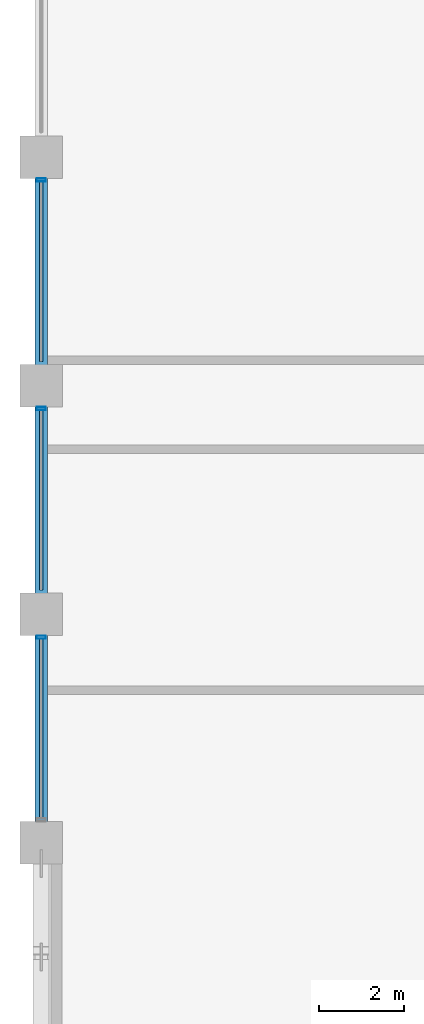
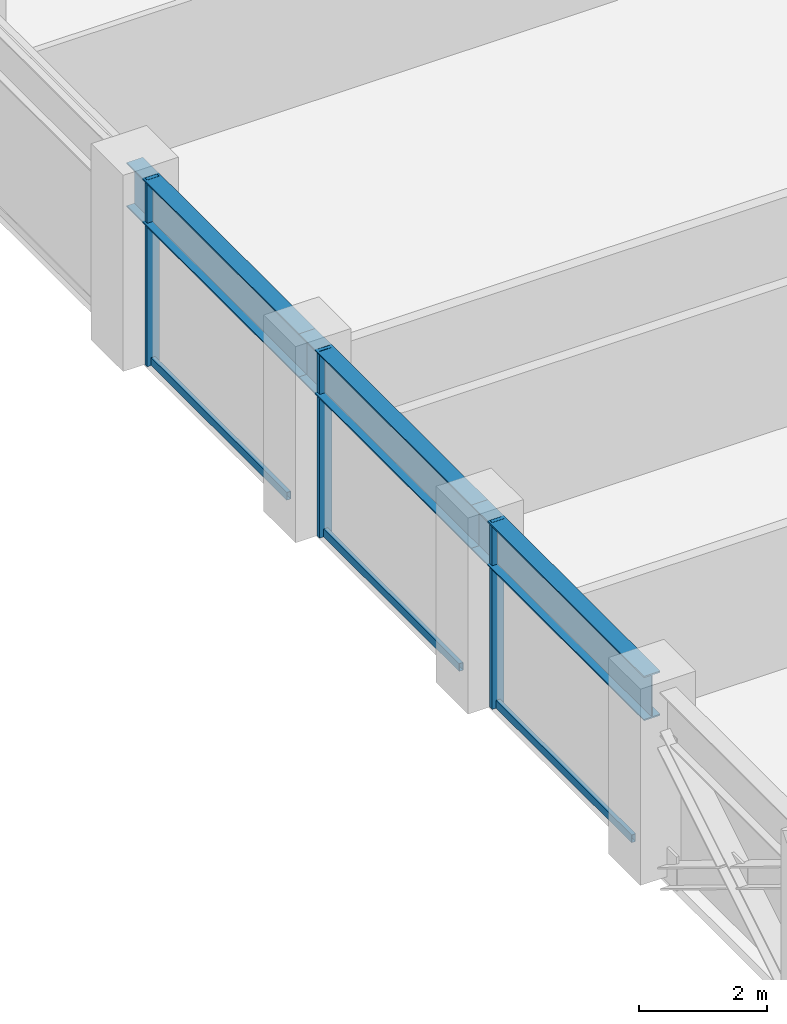
# One storey, part 6 of 23: 6 members, 3 beams, 1 element without a shape of its own.
"""IFC4 building model written with IfcOpenShell, lengths in metres."""

from ifc_helpers import new_model, si_unit, direction, frame, origin, origin_2d, place, context, subcontext, project, spatial, hollow_rectangle, i_section, extrude, material, layer, layer_set, material_profile, profile_set, type_object, element, aggregate, save


model = new_model("IFC4")

# Units and contexts
model_context = context("Model", 3, precision=1e-05, world=origin(), true_north=direction((0.0, 1.0)))
body_context = subcontext(model_context, "Body", "Model", "MODEL_VIEW")
ifc_project = project(units=[si_unit("LENGTHUNIT", "METRE"), si_unit("AREAUNIT", "SQUARE_METRE"), si_unit("VOLUMEUNIT", "CUBIC_METRE"), si_unit("PLANEANGLEUNIT", "RADIAN"), si_unit("MASSUNIT", "GRAM", prefix="KILO")], contexts=[model_context])

# Site, building, storey
site_placement = place(None, origin())
site = spatial("IfcSite", under=ifc_project, at=site_placement, CompositionType="ELEMENT")
building_placement = place(site_placement, origin())
building = spatial("IfcBuilding", under=site, at=building_placement, Name="Surkhivell Harbour Commons", CompositionType="ELEMENT")
storey_placement = place(building_placement, frame((0.0, 0.0, 132.0)))
storey = spatial("IfcBuildingStorey", under=building, at=storey_placement, Name="L34", CompositionType="ELEMENT", Elevation=132.0)

# Beams
ifc_material_1 = material(Name="Steel S460", Category="steel")
ifc_material_profile_1 = material_profile(ifc_material_1, i_section(OverallWidth=0.2939453125, OverallDepth=0.85107421875, WebThickness=0.01611328125, FlangeThickness=0.02685546875, at=origin_2d()), Name="UB838x292x226")
ifc_profile_set_1 = profile_set([ifc_material_profile_1], Name="Steel S460")
beam_type = type_object("IfcBeamType", Name="BM-SPN-838", PredefinedType="SPANDREL", material=ifc_profile_set_1)
beam_placement = place(storey_placement, frame((-32.39990234375, -10.800048828125, 3.14453125), z_axis=(0.0, 1.0, 0.0), x_axis=(-1.0, 0.0, 0.0)))
element("IfcBeam", 1, at=beam_placement, inside=storey, type_object=beam_type, Name="L34 Tube Spandrel (-32.4,-10.8)", PredefinedType="SPANDREL", context=body_context, shape_type="SweptSolid", body=[
    extrude(i_section(OverallWidth=0.2939453125, OverallDepth=0.85107421875, WebThickness=0.01611328125, FlangeThickness=0.02685546875, at=origin_2d()), origin(), (0.0, 0.0, 1.0), 5.400146484375),
])
for number, where, z_axis, x_axis, name in (
    (2, (-32.39990234375, -5.39990234375, 3.14453125), (0.0, 1.0, 0.0), (-1.0, 0.0, 0.0), "L34 Tube Spandrel (-32.4,-5.4)"),
    (3, (-32.39990234375, 0.0, 3.14453125), (0.0, 1.0, 0.0), (-1.0, 0.0, 0.0), "L34 Tube Spandrel (-32.4,0.0)"),
):
    element("IfcBeam", number, at=place(storey_placement, frame(where, z_axis=z_axis, x_axis=x_axis)), inside=storey, type_object=beam_type, Name=name, PredefinedType="SPANDREL", context=body_context, shape_type="SweptSolid", body=[
        extrude(i_section(OverallWidth=0.2939453125, OverallDepth=0.85107421875, WebThickness=0.01611328125, FlangeThickness=0.02685546875, at=origin_2d()), origin(), (0.0, 0.0, 1.0), 5.39990234375),
    ])

# Curtain wall, members
ifc_material_2 = material(Name="Anodised pale-metal aluminium and insulated glazing", Category="aluminium")
ifc_layer = layer(ifc_material_2, 0.205078125)
ifc_layer_set = layer_set([ifc_layer], Name="Anodised pale-metal aluminium and insulated glazing")
curtain_wall_type = type_object("IfcCurtainWallType", Name="CW-SYS-Z2", PredefinedType="NOTDEFINED", material=ifc_layer_set)
curtain_wall_placement = place(storey_placement, origin())
curtain_wall = element("IfcCurtainWall", 4, at=curtain_wall_placement, inside=storey, type_object=curtain_wall_type, Name="L34 Curtain Wall CW-L34-E12S1", PredefinedType="NOTDEFINED")
ifc_material_3 = material(Name="Anodised pale-metal aluminium alloy 6063-T6", Category="aluminium")
ifc_material_profile_2 = material_profile(ifc_material_3, hollow_rectangle(XDim=0.074951171875, YDim=0.219970703125, WallThickness=0.00390625, at=origin_2d()), Name="ALU-MULL-75x220")
ifc_profile_set_2 = profile_set([ifc_material_profile_2], Name="Anodised pale-metal aluminium alloy 6063-T6")
member_type_1 = type_object("IfcMemberType", Name="CWM-220", PredefinedType="MULLION", material=ifc_profile_set_2)
member_1_placement = place(storey_placement, frame((-32.39990234375, 4.860595703125, 0.0), z_axis=(0.0, 0.0, 1.0), x_axis=(0.0, -1.0, 0.0)))
member_1 = element("IfcMember", 5, at=member_1_placement, type_object=member_type_1, Name="CW-Z2 mullion 4", PredefinedType="MULLION", context=body_context, shape_type="SweptSolid", body=[
    extrude(hollow_rectangle(XDim=0.074951171875, YDim=0.219970703125, WallThickness=0.00390625, at=origin_2d()), origin(), (0.0, 0.0, 1.0), 3.570068359375),
])
member_2_placement = place(storey_placement, frame((-32.39990234375, -0.53955078125, 0.0), z_axis=(0.0, 0.0, 1.0), x_axis=(0.0, -1.0, 0.0)))
member_2 = element("IfcMember", 6, at=member_2_placement, type_object=member_type_1, Name="CW-Z2 mullion 5", PredefinedType="MULLION", context=body_context, shape_type="SweptSolid", body=[
    extrude(hollow_rectangle(XDim=0.074951171875, YDim=0.219970703125, WallThickness=0.00390625, at=origin_2d()), origin(), (0.0, 0.0, 1.0), 3.570068359375),
])
member_3_placement = place(storey_placement, frame((-32.39990234375, -5.939453125, 0.0), z_axis=(0.0, 0.0, 1.0), x_axis=(0.0, -1.0, 0.0)))
member_3 = element("IfcMember", 7, at=member_3_placement, type_object=member_type_1, Name="CW-Z2 mullion 6", PredefinedType="MULLION", context=body_context, shape_type="SweptSolid", body=[
    extrude(hollow_rectangle(XDim=0.074951171875, YDim=0.219970703125, WallThickness=0.00390625, at=origin_2d()), origin(), (0.0, 0.0, 1.0), 3.570068359375),
])
ifc_material_profile_3 = material_profile(ifc_material_3, hollow_rectangle(XDim=0.074951171875, YDim=0.14990234375, WallThickness=0.00341796875, at=origin_2d()), Name="ALU-TRAN-75x150")
ifc_profile_set_3 = profile_set([ifc_material_profile_3], Name="Anodised pale-metal aluminium alloy 6063-T6")
member_type_2 = type_object("IfcMemberType", Name="CWT-150", PredefinedType="USERDEFINED", material=ifc_profile_set_3)
member_4_placement = place(storey_placement, frame((-32.39990234375, 4.822998046875, 0.074951171875), z_axis=(0.0, -1.0, 0.0), x_axis=(1.0, 0.0, 0.0)))
member_4 = element("IfcMember", 8, at=member_4_placement, type_object=member_type_2, Name="CW-Z2 transom 4.1", ObjectType="TRANSOM", PredefinedType="USERDEFINED", context=body_context, shape_type="SweptSolid", body=[
    extrude(hollow_rectangle(XDim=0.074951171875, YDim=0.14990234375, WallThickness=0.00341796875, at=origin_2d()), origin(), (0.0, 0.0, 1.0), 4.24609375),
])
member_5_placement = place(storey_placement, frame((-32.39990234375, -0.576904296875, 0.074951171875), z_axis=(0.0, -1.0, 0.0), x_axis=(1.0, 0.0, 0.0)))
member_5 = element("IfcMember", 9, at=member_5_placement, type_object=member_type_2, Name="CW-Z2 transom 5.1", ObjectType="TRANSOM", PredefinedType="USERDEFINED", context=body_context, shape_type="SweptSolid", body=[
    extrude(hollow_rectangle(XDim=0.074951171875, YDim=0.14990234375, WallThickness=0.00341796875, at=origin_2d()), origin(), (0.0, 0.0, 1.0), 4.24609375),
])
member_6_placement = place(storey_placement, frame((-32.39990234375, -5.97705078125, 0.074951171875), z_axis=(0.0, -1.0, 0.0), x_axis=(1.0, 0.0, 0.0)))
member_6 = element("IfcMember", 10, at=member_6_placement, type_object=member_type_2, Name="CW-Z2 transom 6.1", ObjectType="TRANSOM", PredefinedType="USERDEFINED", context=body_context, shape_type="SweptSolid", body=[
    extrude(hollow_rectangle(XDim=0.074951171875, YDim=0.14990234375, WallThickness=0.00341796875, at=origin_2d()), origin(), (0.0, 0.0, 1.0), 4.245849609375),
])
aggregate(curtain_wall, [member_1, member_4, member_2, member_5, member_3, member_6])

save(model, "model.ifc")
